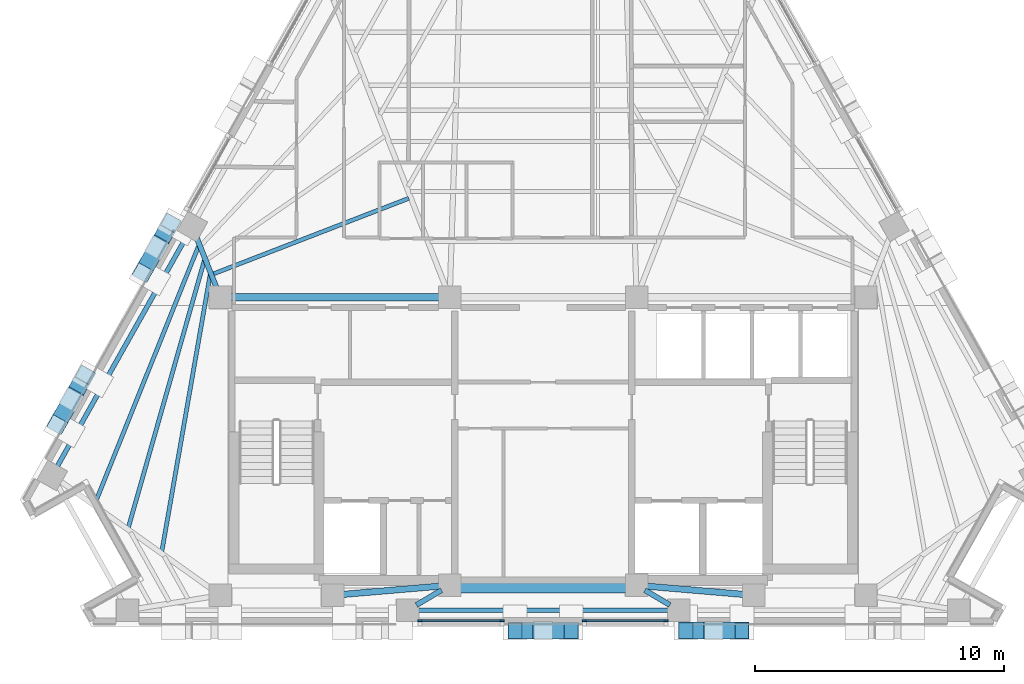
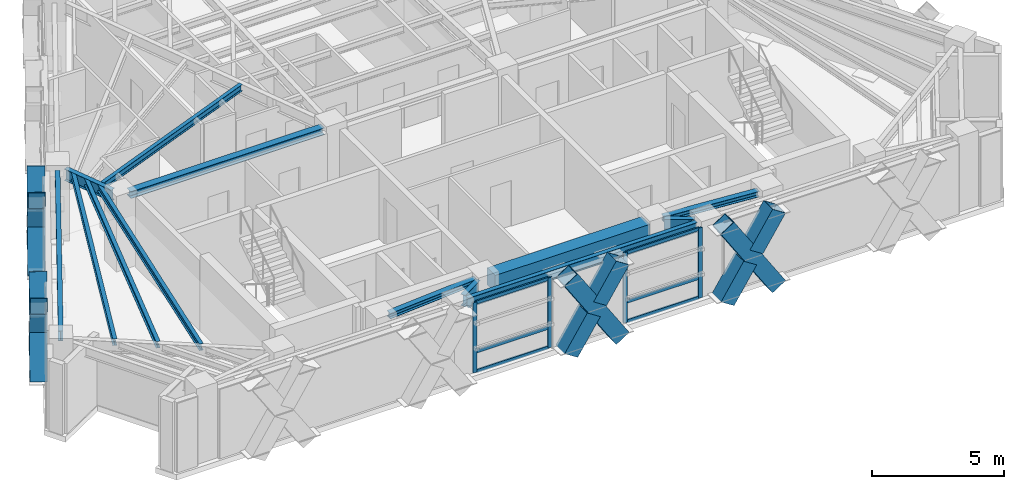
# One storey, part 2 of 12: 22 members, 13 beams, 2 elements without a shape of their own.
"""IFC4 building model written with IfcOpenShell, lengths in metres."""

from ifc_helpers import new_model, si_unit, direction, frame, origin, origin_2d, place, context, subcontext, project, spatial, rectangle, hollow_rectangle, i_section, extrude, material, material_profile, profile_set, type_object, element, aggregate, save


model = new_model("IFC4")

# Units and contexts
model_context = context("Model", 3, precision=1e-05, world=origin(), true_north=direction((0.0, 1.0)))
body_context = subcontext(model_context, "Body", "Model", "MODEL_VIEW")
ifc_project = project(units=[si_unit("LENGTHUNIT", "METRE"), si_unit("AREAUNIT", "SQUARE_METRE"), si_unit("VOLUMEUNIT", "CUBIC_METRE"), si_unit("PLANEANGLEUNIT", "RADIAN"), si_unit("MASSUNIT", "GRAM", prefix="KILO")], contexts=[model_context])

# Site, building, storey
site_placement = place(None, origin())
site = spatial("IfcSite", under=ifc_project, at=site_placement, CompositionType="ELEMENT")
building_placement = place(site_placement, origin())
building = spatial("IfcBuilding", under=site, at=building_placement, Name="Quenlor Broadcast Tower", CompositionType="ELEMENT")
storey_placement = place(building_placement, frame((0.0, 0.0, 193.89990234375)))
storey = spatial("IfcBuildingStorey", under=building, at=storey_placement, Name="L53", CompositionType="ELEMENT", Elevation=193.89990234375)

# Curtain wall, members
ifc_material_1 = material(Name="Architectural Terracotta and Low-E Glazing", Category="masonry")
curtain_wall_type = type_object("IfcCurtainWallType", Name="Unitised Terracotta Curtain Wall System Z4", PredefinedType="NOTDEFINED", material=ifc_material_1)
curtain_wall_1_placement = place(storey_placement, origin())
curtain_wall_1 = element("IfcCurtainWall", 1, at=curtain_wall_1_placement, inside=storey, type_object=curtain_wall_type, Name="L53 Curtain Wall CW4 (L53-S-G1)", PredefinedType="NOTDEFINED")
ifc_material_2 = material(Name="Aluminium 6063-T6", Category="aluminium")
ifc_material_profile_1 = material_profile(ifc_material_2, rectangle(XDim=0.068115234375, YDim=0.179931640625, at=origin_2d()))
ifc_profile_set_1 = profile_set([ifc_material_profile_1], Name="Aluminium 6063-T6 MULL68x180")
member_type_1 = type_object("IfcMemberType", Name="CW4 Aluminium Mullion MULL_CW4", PredefinedType="MULLION", material=ifc_profile_set_1)
member_1_placement = place(storey_placement, frame((4.933837890625, -17.77490234375, 0.0), z_axis=(0.0, 0.0, 1.0), x_axis=(0.0, -1.0, 0.0)))
member_1 = element("IfcMember", 2, at=member_1_placement, type_object=member_type_1, Name="CW4 mullion 1", PredefinedType="MULLION", context=body_context, shape_type="SweptSolid", body=[
    extrude(rectangle(XDim=0.068115234375, YDim=0.179931640625, at=origin_2d()), origin(), (0.0, 0.0, 1.0), 3.25),
])
member_2_placement = place(storey_placement, frame((1.655029296875, -17.77490234375, 0.0), z_axis=(0.0, 0.0, 1.0), x_axis=(0.0, -1.0, 0.0)))
member_2 = element("IfcMember", 3, at=member_2_placement, type_object=member_type_1, Name="CW4 mullion 2", PredefinedType="MULLION", context=body_context, shape_type="SweptSolid", body=[
    extrude(rectangle(XDim=0.068115234375, YDim=0.179931640625, at=origin_2d()), origin(), (0.0, 0.0, 1.0), 3.25),
])

curtain_wall_2_placement = place(storey_placement, origin())
curtain_wall_2 = element("IfcCurtainWall", 4, at=curtain_wall_2_placement, inside=storey, type_object=curtain_wall_type, Name="L53 Curtain Wall CW4 (L53-S-G2)", PredefinedType="NOTDEFINED")
member_3_placement = place(storey_placement, frame((-1.655029296875, -17.77490234375, 0.0), z_axis=(0.0, 0.0, 1.0), x_axis=(0.0, -1.0, 0.0)))
member_3 = element("IfcMember", 5, at=member_3_placement, type_object=member_type_1, Name="CW4 mullion 1", PredefinedType="MULLION", context=body_context, shape_type="SweptSolid", body=[
    extrude(rectangle(XDim=0.068115234375, YDim=0.179931640625, at=origin_2d()), origin(), (0.0, 0.0, 1.0), 3.25),
])
member_4_placement = place(storey_placement, frame((-4.933837890625, -17.77490234375, 0.0), z_axis=(0.0, 0.0, 1.0), x_axis=(0.0, -1.0, 0.0)))
member_4 = element("IfcMember", 6, at=member_4_placement, type_object=member_type_1, Name="CW4 mullion 2", PredefinedType="MULLION", context=body_context, shape_type="SweptSolid", body=[
    extrude(rectangle(XDim=0.068115234375, YDim=0.179931640625, at=origin_2d()), origin(), (0.0, 0.0, 1.0), 3.25),
])

# Member
ifc_material_3 = material(Name="Aluminium 6063-T6", Category="aluminium")
ifc_material_profile_2 = material_profile(ifc_material_3, rectangle(XDim=0.068115234375, YDim=0.14990234375, at=origin_2d()))
ifc_profile_set_2 = profile_set([ifc_material_profile_2], Name="Aluminium 6063-T6 TRAN68x150")
member_type_2 = type_object("IfcMemberType", Name="CW4 Aluminium Transom TRAN_CW4", PredefinedType="USERDEFINED", material=ifc_profile_set_2)
member_5_placement = place(storey_placement, frame((4.89990234375, -17.77490234375, 0.0341796875), z_axis=(-1.0, 0.0, 0.0), x_axis=(0.0, -1.0, 0.0)))
member_5 = element("IfcMember", 7, at=member_5_placement, type_object=member_type_2, Name="CW4 transom 1.1", ObjectType="TRANSOM", PredefinedType="USERDEFINED", context=body_context, shape_type="SweptSolid", body=[
    extrude(rectangle(XDim=0.068115234375, YDim=0.14990234375, at=origin_2d()), origin(), (0.0, 0.0, 1.0), 3.210693359375),
])

member_6_placement = place(storey_placement, frame((4.89990234375, -17.77490234375, 0.9501953125), z_axis=(-1.0, 0.0, 0.0), x_axis=(0.0, -1.0, 0.0)))
member_6 = element("IfcMember", 8, at=member_6_placement, type_object=member_type_2, Name="CW4 transom 1.2", ObjectType="TRANSOM", PredefinedType="USERDEFINED", context=body_context, shape_type="SweptSolid", body=[
    extrude(rectangle(XDim=0.068115234375, YDim=0.14990234375, at=origin_2d()), origin(), (0.0, 0.0, 1.0), 3.210693359375),
])

member_7_placement = place(storey_placement, frame((4.89990234375, -17.77490234375, 3.216064453125), z_axis=(-1.0, 0.0, 0.0), x_axis=(0.0, -1.0, 0.0)))
member_7 = element("IfcMember", 9, at=member_7_placement, type_object=member_type_2, Name="CW4 transom 1.3", ObjectType="TRANSOM", PredefinedType="USERDEFINED", context=body_context, shape_type="SweptSolid", body=[
    extrude(rectangle(XDim=0.068115234375, YDim=0.14990234375, at=origin_2d()), origin(), (0.0, 0.0, 1.0), 3.210693359375),
])

aggregate(curtain_wall_1, [member_1, member_2, member_5, member_6, member_7])

member_8_placement = place(storey_placement, frame((-1.689208984375, -17.77490234375, 0.0341796875), z_axis=(-1.0, 0.0, 0.0), x_axis=(0.0, -1.0, 0.0)))
member_8 = element("IfcMember", 10, at=member_8_placement, type_object=member_type_2, Name="CW4 transom 1.1", ObjectType="TRANSOM", PredefinedType="USERDEFINED", context=body_context, shape_type="SweptSolid", body=[
    extrude(rectangle(XDim=0.068115234375, YDim=0.14990234375, at=origin_2d()), origin(), (0.0, 0.0, 1.0), 3.210693359375),
])

member_9_placement = place(storey_placement, frame((-1.689208984375, -17.77490234375, 0.9501953125), z_axis=(-1.0, 0.0, 0.0), x_axis=(0.0, -1.0, 0.0)))
member_9 = element("IfcMember", 11, at=member_9_placement, type_object=member_type_2, Name="CW4 transom 1.2", ObjectType="TRANSOM", PredefinedType="USERDEFINED", context=body_context, shape_type="SweptSolid", body=[
    extrude(rectangle(XDim=0.068115234375, YDim=0.14990234375, at=origin_2d()), origin(), (0.0, 0.0, 1.0), 3.210693359375),
])

member_10_placement = place(storey_placement, frame((-1.689208984375, -17.77490234375, 3.216064453125), z_axis=(-1.0, 0.0, 0.0), x_axis=(0.0, -1.0, 0.0)))
member_10 = element("IfcMember", 12, at=member_10_placement, type_object=member_type_2, Name="CW4 transom 1.3", ObjectType="TRANSOM", PredefinedType="USERDEFINED", context=body_context, shape_type="SweptSolid", body=[
    extrude(rectangle(XDim=0.068115234375, YDim=0.14990234375, at=origin_2d()), origin(), (0.0, 0.0, 1.0), 3.210693359375),
])

aggregate(curtain_wall_2, [member_3, member_4, member_8, member_9, member_10])

# Beams
ifc_material_4 = material(Name="Concrete C50/60", Category="concrete")
ifc_material_profile_3 = material_profile(ifc_material_4, rectangle(XDim=0.60009765625, YDim=0.800048828125, at=origin_2d()))
ifc_profile_set_3 = profile_set([ifc_material_profile_3], Name="Concrete C50/60 RCB600x800")
beam_type_1 = type_object("IfcBeamType", Name="Core Coupling Beam Concrete C50/60 600x800", PredefinedType="BEAM", material=ifc_profile_set_3)
beam_1_placement = place(storey_placement, frame((-3.389892578125, -16.35009765625, 2.85009765625), z_axis=(1.0, 0.0, 0.0), x_axis=(0.0, 1.0, 0.0)))
element("IfcBeam", 13, at=beam_1_placement, inside=storey, type_object=beam_type_1, Name="L53 Core Coupling Beam 6", PredefinedType="BEAM", context=body_context, shape_type="SweptSolid", body=[
    extrude(rectangle(XDim=0.60009765625, YDim=0.800048828125, at=origin_2d()), origin(), (0.0, 0.0, 1.0), 6.77978515625),
])
ifc_material_5 = material(Name="Steel S355", Category="steel")
ifc_material_profile_4 = material_profile(ifc_material_5, i_section(OverallWidth=0.25390625, OverallDepth=0.25390625, WebThickness=0.008544921875, FlangeThickness=0.01416015625, FilletRadius=0.013916015625, at=origin_2d()))
ifc_profile_set_4 = profile_set([ifc_material_profile_4], Name="Steel S355 250UC72.9")
beam_type_2 = type_object("IfcBeamType", Name="Core Opening Lintel Beam Steel S355 250UC72.9", PredefinedType="LINTEL", material=ifc_profile_set_4)
for number, where, z_axis, x_axis, name in (
    (14, (-8.09130859375, -16.719482421875, 3.123291015625), (0.996399763903, 0.084779186679, 0.0), (-0.084779186679, 0.996399763903, 0.0), "L53 Core Opening Lintel Beam 4"),
    (15, (4.108642578125, -16.380615234375, 3.123291015625), (0.996399763903, -0.084779186679, 0.0), (0.084779186679, 0.996399763903, 0.0), "L53 Core Opening Lintel Beam 5"),
):
    element("IfcBeam", number, at=place(storey_placement, frame(where, z_axis=z_axis, x_axis=x_axis)), inside=storey, type_object=beam_type_2, Name=name, PredefinedType="LINTEL", context=body_context, shape_type="SweptSolid", body=[
        extrude(i_section(OverallWidth=0.25390625, OverallDepth=0.25390625, WebThickness=0.008544921875, FlangeThickness=0.01416015625, FilletRadius=0.013916015625, at=origin_2d()), origin(), (0.0, 0.0, 1.0), 3.9970703125),
    ])
ifc_material_6 = material(Name="Steel S355", Category="steel")
ifc_material_profile_5 = material_profile(ifc_material_6, i_section(OverallWidth=0.306884765625, OverallDepth=0.314697265625, WebThickness=0.011962890625, FlangeThickness=0.018798828125, FilletRadius=0.0166015625, at=origin_2d()))
ifc_profile_set_5 = profile_set([ifc_material_profile_5], Name="Steel S355 310UC118")
beam_type_3 = type_object("IfcBeamType", Name="Core Tie Beam Steel S355 310UC118", PredefinedType="BEAM", material=ifc_profile_set_5)
beam_2_placement = place(storey_placement, frame((-12.590087890625, -4.800048828125, 3.0927734375), z_axis=(1.0, 0.0, 0.0), x_axis=(0.0, 1.0, 0.0)))
element("IfcBeam", 16, at=beam_2_placement, inside=storey, type_object=beam_type_3, Name="L53 Core Tie Beam 1", PredefinedType="BEAM", context=body_context, shape_type="SweptSolid", body=[
    extrude(i_section(OverallWidth=0.306884765625, OverallDepth=0.314697265625, WebThickness=0.011962890625, FlangeThickness=0.018798828125, FilletRadius=0.0166015625, at=origin_2d()), origin(), (0.0, 0.0, 1.0), 8.47998046875),
])

# Members
ifc_material_7 = material(Name="Steel S355", Category="steel")
ifc_material_profile_6 = material_profile(ifc_material_7, hollow_rectangle(XDim=0.679931640625, YDim=0.679931640625, WallThickness=0.02490234375, at=origin_2d()))
ifc_profile_set_6 = profile_set([ifc_material_profile_6], Name="Steel S355 RHS680x680x25")
member_type_3 = type_object("IfcMemberType", Name="Perimeter Diagonal Lattice Brace Z3-Z4 Steel S355 RHS680x25", PredefinedType="BRACE", material=ifc_profile_set_6)
member_11_placement = place(storey_placement, frame((7.978515625, -18.169921875, -0.119873046875), z_axis=(-0.541794306908, 0.0, 0.840511111766), x_axis=(0.0, -1.0, 0.0)))
element("IfcMember", 17, at=member_11_placement, inside=storey, type_object=member_type_3, Name="L53 Perimeter Diamond Lattice S-C2XA", PredefinedType="BRACE", context=body_context, shape_type="SweptSolid", body=[
    extrude(hollow_rectangle(XDim=0.679931640625, YDim=0.679931640625, WallThickness=0.02490234375, at=origin_2d()), origin(), (0.0, 0.0, 1.0), 4.1640625),
])
member_12_placement = place(storey_placement, frame((5.722412109375, -18.169921875, -0.119873046875), z_axis=(0.54184151587, 0.0, 0.840480678945), x_axis=(0.0, 1.0, 0.0)))
element("IfcMember", 18, at=member_12_placement, inside=storey, type_object=member_type_3, Name="L53 Perimeter Diamond Lattice S-C2XB1", PredefinedType="BRACE", context=body_context, shape_type="SweptSolid", body=[
    extrude(hollow_rectangle(XDim=0.679931640625, YDim=0.679931640625, WallThickness=0.02490234375, at=origin_2d()), origin(), (0.0, 0.0, 1.0), 1.83203125),
])
member_13_placement = place(storey_placement, frame((6.98583984375, -18.169921875, 1.840087890625), z_axis=(0.541780832962, 0.0, 0.840519796932), x_axis=(0.0, 1.0, 0.0)))
element("IfcMember", 19, at=member_13_placement, inside=storey, type_object=member_type_3, Name="L53 Perimeter Diamond Lattice S-C2XB2", PredefinedType="BRACE", context=body_context, shape_type="SweptSolid", body=[
    extrude(hollow_rectangle(XDim=0.679931640625, YDim=0.679931640625, WallThickness=0.02490234375, at=origin_2d()), origin(), (0.0, 0.0, 1.0), 1.832275390625),
])
member_14_placement = place(storey_placement, frame((1.1279296875, -18.169921875, -0.119873046875), z_axis=(-0.541752885669, 0.0, 0.840537810493), x_axis=(0.0, -1.0, 0.0)))
element("IfcMember", 20, at=member_14_placement, inside=storey, type_object=member_type_3, Name="L53 Perimeter Diamond Lattice S-C3XA", PredefinedType="BRACE", context=body_context, shape_type="SweptSolid", body=[
    extrude(hollow_rectangle(XDim=0.679931640625, YDim=0.679931640625, WallThickness=0.02490234375, at=origin_2d()), origin(), (0.0, 0.0, 1.0), 4.1640625),
])
member_15_placement = place(storey_placement, frame((-1.1279296875, -18.169921875, -0.119873046875), z_axis=(0.54174736867, 0.0, 0.840541366347), x_axis=(0.0, 1.0, 0.0)))
element("IfcMember", 21, at=member_15_placement, inside=storey, type_object=member_type_3, Name="L53 Perimeter Diamond Lattice S-C3XB1", PredefinedType="BRACE", context=body_context, shape_type="SweptSolid", body=[
    extrude(hollow_rectangle(XDim=0.679931640625, YDim=0.679931640625, WallThickness=0.02490234375, at=origin_2d()), origin(), (0.0, 0.0, 1.0), 1.831787109375),
])
member_16_placement = place(storey_placement, frame((0.135498046875, -18.169921875, 1.840087890625), z_axis=(0.541686687545, 0.0, 0.840580473563), x_axis=(0.0, 1.0, 0.0)))
element("IfcMember", 22, at=member_16_placement, inside=storey, type_object=member_type_3, Name="L53 Perimeter Diamond Lattice S-C3XB2", PredefinedType="BRACE", context=body_context, shape_type="SweptSolid", body=[
    extrude(hollow_rectangle(XDim=0.679931640625, YDim=0.679931640625, WallThickness=0.02490234375, at=origin_2d()), origin(), (0.0, 0.0, 1.0), 1.83203125),
])
member_17_placement = place(storey_placement, frame((-19.49609375, -9.912841796875, -0.119873046875), z_axis=(0.269547055694, 0.479136497832, 0.835327840559), x_axis=(-0.871550060774, 0.49030652817, 0.0)))
element("IfcMember", 23, at=member_17_placement, inside=storey, type_object=member_type_3, Name="L53 Perimeter Diamond Lattice NW-C1XA", PredefinedType="BRACE", context=body_context, shape_type="SweptSolid", body=[
    extrude(hollow_rectangle(XDim=0.679931640625, YDim=0.679931640625, WallThickness=0.02490234375, at=origin_2d()), origin(), (0.0, 0.0, 1.0), 4.18994140625),
])
for number, where, z_axis, x_axis, name in (
    (24, (-18.36669921875, -7.9052734375, -0.119873046875), (-0.269535527865, -0.479130165145, 0.835335192642), (0.871556252289, -0.490295522207, 0.0), "L53 Perimeter Diamond Lattice NW-C1XB1"),
    (25, (-18.998779296875, -9.02880859375, 1.8388671875), (-0.269535527865, -0.479130165145, 0.835335192642), (0.871556252289, -0.490295522207, 0.0), "L53 Perimeter Diamond Lattice NW-C1XB2"),
):
    element("IfcMember", number, at=place(storey_placement, frame(where, z_axis=z_axis, x_axis=x_axis)), inside=storey, type_object=member_type_3, Name=name, PredefinedType="BRACE", context=body_context, shape_type="SweptSolid", body=[
        extrude(hollow_rectangle(XDim=0.679931640625, YDim=0.679931640625, WallThickness=0.02490234375, at=origin_2d()), origin(), (0.0, 0.0, 1.0), 1.844970703125),
    ])
member_18_placement = place(storey_placement, frame((-16.06689453125, -3.816650390625, -0.119873046875), z_axis=(0.269547055694, 0.479136497832, 0.835327840559), x_axis=(-0.871550060774, 0.49030652817, 0.0)))
element("IfcMember", 26, at=member_18_placement, inside=storey, type_object=member_type_3, Name="L53 Perimeter Diamond Lattice NW-C2XA", PredefinedType="BRACE", context=body_context, shape_type="SweptSolid", body=[
    extrude(hollow_rectangle(XDim=0.679931640625, YDim=0.679931640625, WallThickness=0.02490234375, at=origin_2d()), origin(), (0.0, 0.0, 1.0), 4.18994140625),
])
for number, where, z_axis, x_axis, name in (
    (27, (-14.9375, -1.80908203125, -0.119873046875), (-0.269535527865, -0.479130165145, 0.835335192642), (0.871556252289, -0.490295522207, 0.0), "L53 Perimeter Diamond Lattice NW-C2XB1"),
    (28, (-15.569580078125, -2.9326171875, 1.8388671875), (-0.269535527865, -0.479130165145, 0.835335192642), (0.871556252289, -0.490295522207, 0.0), "L53 Perimeter Diamond Lattice NW-C2XB2"),
):
    element("IfcMember", number, at=place(storey_placement, frame(where, z_axis=z_axis, x_axis=x_axis)), inside=storey, type_object=member_type_3, Name=name, PredefinedType="BRACE", context=body_context, shape_type="SweptSolid", body=[
        extrude(hollow_rectangle(XDim=0.679931640625, YDim=0.679931640625, WallThickness=0.02490234375, at=origin_2d()), origin(), (0.0, 0.0, 1.0), 1.844970703125),
    ])

# Beams
ifc_material_8 = material(Name="Steel S355", Category="steel")
ifc_material_profile_7 = material_profile(ifc_material_8, i_section(OverallWidth=0.18994140625, OverallDepth=0.453857421875, WebThickness=0.008544921875, FlangeThickness=0.0126953125, FilletRadius=0.011474609375, at=origin_2d()))
ifc_profile_set_7 = profile_set([ifc_material_profile_7], Name="Steel S355 460UB67.1")
beam_type_4 = type_object("IfcBeamType", Name="Perimeter Spandrel Beam Z4 Steel S355 460UB67.1", PredefinedType="SPANDREL", material=ifc_profile_set_7)
beam_3_placement = place(storey_placement, frame((-5.02783203125, -17.35009765625, 3.023193359375), z_axis=(1.0, 0.0, 0.0), x_axis=(0.0, 1.0, 0.0)))
element("IfcBeam", 29, at=beam_3_placement, inside=storey, type_object=beam_type_4, Name="L53 Spandrel Beam S2-S3", PredefinedType="SPANDREL", context=body_context, shape_type="SweptSolid", body=[
    extrude(i_section(OverallWidth=0.18994140625, OverallDepth=0.453857421875, WebThickness=0.008544921875, FlangeThickness=0.0126953125, FilletRadius=0.011474609375, at=origin_2d()), origin(), (0.0, 0.0, 1.0), 10.0556640625),
])
beam_4_placement = place(storey_placement, frame((-14.2783203125, -2.3095703125, 3.023193359375), z_axis=(-0.490272131974, -0.871569410093, 0.0), x_axis=(0.871569410093, -0.490272131974, 0.0)))
element("IfcBeam", 30, at=beam_4_placement, inside=storey, type_object=beam_type_4, Name="L53 Spandrel Beam NW3-NW4", PredefinedType="SPANDREL", context=body_context, shape_type="SweptSolid", body=[
    extrude(i_section(OverallWidth=0.18994140625, OverallDepth=0.453857421875, WebThickness=0.008544921875, FlangeThickness=0.0126953125, FilletRadius=0.011474609375, at=origin_2d()), origin(), (0.0, 0.0, 1.0), 10.6416015625),
])
ifc_material_9 = material(Name="Steel S355", Category="steel")
ifc_material_profile_8 = material_profile(ifc_material_9, i_section(OverallWidth=0.166015625, OverallDepth=0.30712890625, WebThickness=0.006591796875, FlangeThickness=0.01171875, FilletRadius=0.011474609375, at=origin_2d()))
ifc_profile_set_8 = profile_set([ifc_material_profile_8], Name="Steel S355 310UB46.2")
beam_type_5 = type_object("IfcBeamType", Name="Tower Composite Joist Z4-Z5 Steel S355 310UB46.2", PredefinedType="JOIST", material=ifc_profile_set_8)
beam_5_placement = place(storey_placement, frame((-13.236083984375, -3.85986328125, 3.096435546875), z_axis=(0.932639299023, 0.360810113381, 0.0), x_axis=(-0.360810113381, 0.932639299023, 0.0)))
element("IfcBeam", 31, at=beam_5_placement, inside=storey, type_object=beam_type_5, Name="L53 Secondary Composite Joist 7", PredefinedType="JOIST", context=body_context, shape_type="SweptSolid", body=[
    extrude(i_section(OverallWidth=0.166015625, OverallDepth=0.30712890625, WebThickness=0.006591796875, FlangeThickness=0.01171875, FilletRadius=0.011474609375, at=origin_2d()), origin(), (0.0, 0.0, 1.0), 8.413330078125),
])
beam_6_placement = place(storey_placement, frame((-15.297607421875, -14.98828125, 3.096435546875), z_axis=(0.172003691938, 0.985096304916, 0.0), x_axis=(-0.985096304916, 0.172003691938, 0.0)))
element("IfcBeam", 32, at=beam_6_placement, inside=storey, type_object=beam_type_5, Name="L53 Secondary Composite Joist 13", PredefinedType="JOIST", context=body_context, shape_type="SweptSolid", body=[
    extrude(i_section(OverallWidth=0.166015625, OverallDepth=0.30712890625, WebThickness=0.006591796875, FlangeThickness=0.01171875, FilletRadius=0.011474609375, at=origin_2d()), origin(), (0.0, 0.0, 1.0), 11.274169921875),
])
beam_7_placement = place(storey_placement, frame((-16.638671875, -14.028564453125, 3.096435546875), z_axis=(0.273447576454, 0.961886907558, 0.0), x_axis=(-0.961886907558, 0.273447576454, 0.0)))
element("IfcBeam", 33, at=beam_7_placement, inside=storey, type_object=beam_type_5, Name="L53 Secondary Composite Joist 14", PredefinedType="JOIST", context=body_context, shape_type="SweptSolid", body=[
    extrude(i_section(OverallWidth=0.166015625, OverallDepth=0.30712890625, WebThickness=0.006591796875, FlangeThickness=0.01171875, FilletRadius=0.011474609375, at=origin_2d()), origin(), (0.0, 0.0, 1.0), 11.142333984375),
])
beam_8_placement = place(storey_placement, frame((-17.97998046875, -13.069580078125, 3.096435546875), z_axis=(0.373094895103, 0.927793187757, 0.0), x_axis=(-0.927793187757, 0.373094895103, 0.0)))
element("IfcBeam", 34, at=beam_8_placement, inside=storey, type_object=beam_type_5, Name="L53 Secondary Composite Joist 15", PredefinedType="JOIST", context=body_context, shape_type="SweptSolid", body=[
    extrude(i_section(OverallWidth=0.166015625, OverallDepth=0.30712890625, WebThickness=0.006591796875, FlangeThickness=0.01171875, FilletRadius=0.011474609375, at=origin_2d()), origin(), (0.0, 0.0, 1.0), 11.13525390625),
])
ifc_material_10 = material(Name="Steel S355", Category="steel")
ifc_material_profile_9 = material_profile(ifc_material_10, i_section(OverallWidth=0.208984375, OverallDepth=0.5283203125, WebThickness=0.009521484375, FlangeThickness=0.01318359375, FilletRadius=0.013916015625, at=origin_2d()))
ifc_profile_set_9 = profile_set([ifc_material_profile_9], Name="Steel S355 530UB82.0")
beam_type_6 = type_object("IfcBeamType", Name="Tower Primary Floor Beam Z4 Steel S355 530UB82.0", PredefinedType="BEAM", material=ifc_profile_set_9)
for number, where, z_axis, x_axis, name in (
    (35, (-5.085205078125, -17.14111328125, 2.986083984375), (0.86032875258, 0.509739578102, 0.0), (-0.509739578102, 0.86032875258, 0.0), "L53 Primary Radial Beam S2"),
    (36, (5.085205078125, -17.14111328125, 2.986083984375), (-0.86032875258, 0.509739578102, 0.0), (-0.509739578102, -0.86032875258, 0.0), "L53 Primary Radial Beam S3"),
):
    element("IfcBeam", number, at=place(storey_placement, frame(where, z_axis=z_axis, x_axis=x_axis)), inside=storey, type_object=beam_type_6, Name=name, PredefinedType="BEAM", context=body_context, shape_type="SweptSolid", body=[
        extrude(i_section(OverallWidth=0.208984375, OverallDepth=0.5283203125, WebThickness=0.009521484375, FlangeThickness=0.01318359375, FilletRadius=0.013916015625, at=origin_2d()), origin(), (0.0, 0.0, 1.0), 1.171875),
    ])
beam_9_placement = place(storey_placement, frame((-13.926513671875, -2.33349609375, 2.986083984375), z_axis=(0.368110359783, -0.92978210513, 0.0), x_axis=(0.92978210513, 0.368110359783, 0.0)))
element("IfcBeam", 37, at=beam_9_placement, inside=storey, type_object=beam_type_6, Name="L53 Primary Radial Beam NW3", PredefinedType="BEAM", context=body_context, shape_type="SweptSolid", body=[
    extrude(i_section(OverallWidth=0.208984375, OverallDepth=0.5283203125, WebThickness=0.009521484375, FlangeThickness=0.01318359375, FilletRadius=0.013916015625, at=origin_2d()), origin(), (0.0, 0.0, 1.0), 2.27294921875),
])

save(model, "model.ifc")
